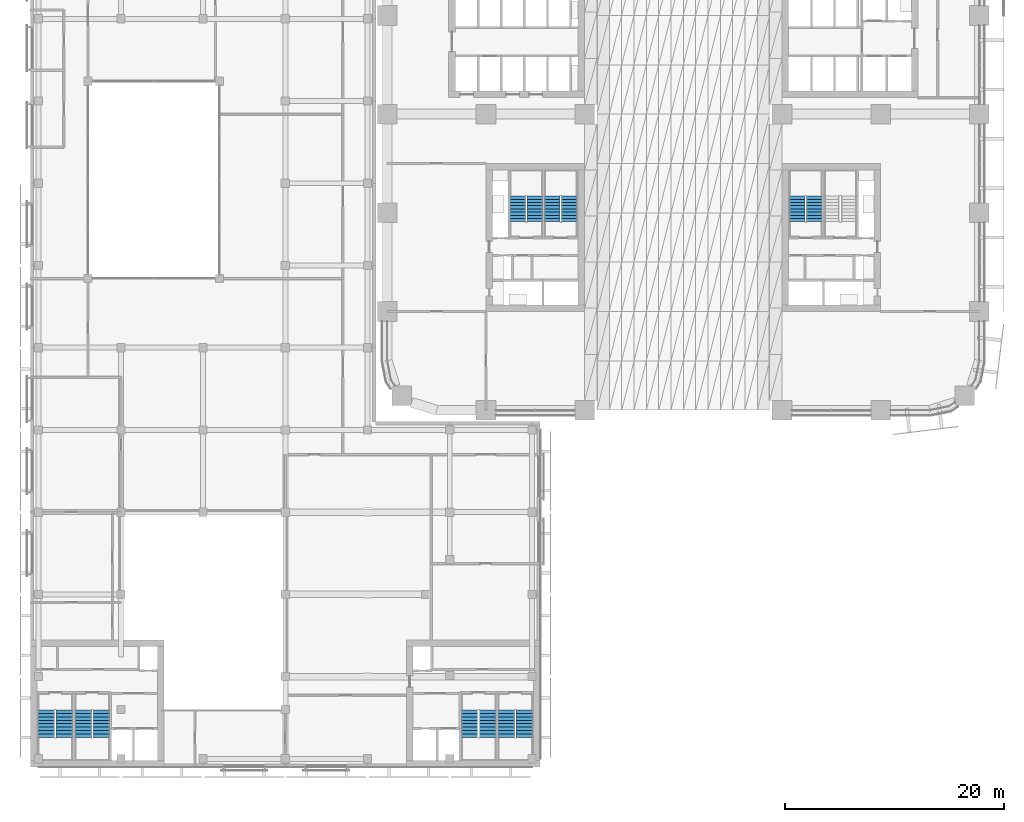
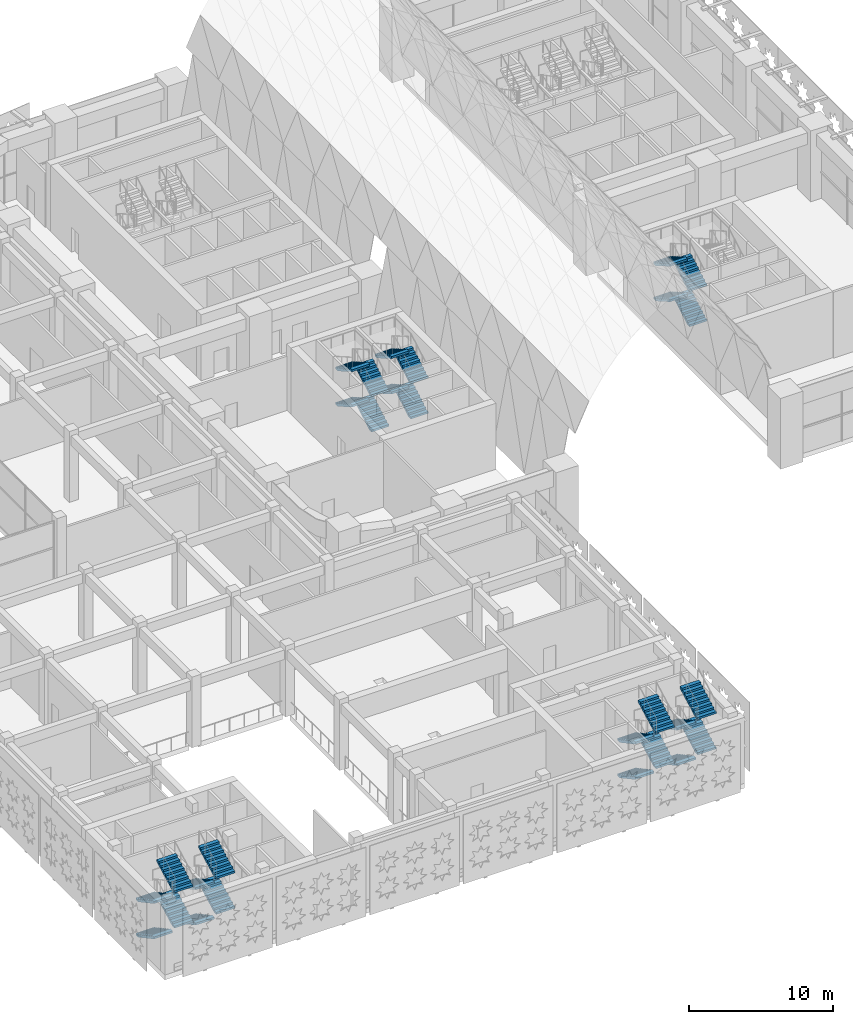
# One storey, part 23 of 46: 28 stair flights, 7 elements without a shape of their own.
"""IFC4 building model written with IfcOpenShell, lengths in metres."""

from ifc_helpers import new_model, si_unit, direction, frame, origin, place, context, subcontext, project, spatial, polyline, outline, extrude, material, type_object, element, aggregate, save


model = new_model("IFC4")

# Units and contexts
model_context = context("Model", 3, precision=1e-05, world=origin(), true_north=direction((0.0, 1.0)))
body_context = subcontext(model_context, "Body", "Model", "MODEL_VIEW")
ifc_project = project(units=[si_unit("LENGTHUNIT", "METRE"), si_unit("AREAUNIT", "SQUARE_METRE"), si_unit("VOLUMEUNIT", "CUBIC_METRE"), si_unit("PLANEANGLEUNIT", "RADIAN"), si_unit("MASSUNIT", "GRAM", prefix="KILO")], contexts=[model_context])

# Site, building, storey
site_placement = place(None, origin())
site = spatial("IfcSite", under=ifc_project, at=site_placement, CompositionType="ELEMENT")
building_placement = place(site_placement, origin())
building = spatial("IfcBuilding", under=site, at=building_placement, Name="Tessera Arch", CompositionType="ELEMENT")
storey_placement = place(building_placement, frame((0.0, 0.0, 8.0)))
storey = spatial("IfcBuildingStorey", under=building, at=storey_placement, Name="L01", CompositionType="ELEMENT", Elevation=8.0)

# Stair, stair flights
ifc_material_1 = material(Name="Concrete C40/50", Category="concrete")
stair_type_1 = type_object("IfcStairType", Name="Dogleg stair 1400", PredefinedType="HALF_TURN_STAIR", material=ifc_material_1)
stair_1_placement = place(storey_placement, origin())
stair_1 = element("IfcStair", 1, at=stair_1_placement, inside=storey, type_object=stair_type_1, Name="L01 S3a", PredefinedType="HALF_TURN_STAIR")
ifc_material_2 = material(Name="Concrete C40/50", Category="concrete")
stair_flight_type_1 = type_object("IfcStairFlightType", Name="Stair flight 1400", PredefinedType="STRAIGHT", material=ifc_material_2)
stair_flight_1_placement = place(storey_placement, frame((38.949951171875, 17.199951171875, 0.0), z_axis=(0.0, 0.0, 1.0), x_axis=(0.0, 1.0, 0.0)))
stair_flight_1 = element("IfcStairFlight", 2, at=stair_flight_1_placement, type_object=stair_flight_type_1, Name="S3a flight 1", NumberOfRisers=9, NumberOfTreads=8, PredefinedType="STRAIGHT", RiserHeight=0.166666667, TreadLength=0.29, context=body_context, shape_type="SweptSolid", body=[
    extrude(outline(polyline([(0.0, 0.0), (0.0, 0.166748046875), (0.2900390625, 0.166748046875), (0.2900390625, 0.333251953125), (0.580078125, 0.333251953125), (0.580078125, 0.5), (0.8701171875, 0.5), (0.8701171875, 0.666748046875), (1.159912109375, 0.666748046875), (1.159912109375, 0.833251953125), (1.449951171875, 0.833251953125), (1.449951171875, 1.0), (1.739990234375, 1.0), (1.739990234375, 1.166748046875), (2.030029296875, 1.166748046875), (2.030029296875, 1.333251953125), (2.320068359375, 1.333251953125), (2.320068359375, 1.5), (2.320068359375, 1.160400390625), (0.30078125, 0.0), (0.0, 0.0)])), frame((0.0, 0.699951171875, 0.0), z_axis=(0.0, -1.0, 0.0), x_axis=(1.0, 0.0, 0.0)), (0.0, 0.0, 1.0), 1.39990234375),
])
stair_flight_2_placement = place(storey_placement, frame((37.39990234375, 19.52001953125, 1.5), z_axis=(0.0, 0.0, 1.0), x_axis=(0.0, -1.0, 0.0)))
stair_flight_2 = element("IfcStairFlight", 3, at=stair_flight_2_placement, type_object=stair_flight_type_1, Name="S3a flight 2", NumberOfRisers=9, NumberOfTreads=8, PredefinedType="STRAIGHT", RiserHeight=0.166666667, TreadLength=0.29, context=body_context, shape_type="SweptSolid", body=[
    extrude(outline(polyline([(0.0, 0.0), (0.0, 0.166748046875), (0.2900390625, 0.166748046875), (0.2900390625, 0.333251953125), (0.580078125, 0.333251953125), (0.580078125, 0.5), (0.8701171875, 0.5), (0.8701171875, 0.666748046875), (1.159912109375, 0.666748046875), (1.159912109375, 0.833251953125), (1.449951171875, 0.833251953125), (1.449951171875, 1.0), (1.739990234375, 1.0), (1.739990234375, 1.166748046875), (2.030029296875, 1.166748046875), (2.030029296875, 1.333251953125), (2.320068359375, 1.333251953125), (2.320068359375, 1.5), (2.320068359375, 1.160400390625), (0.30078125, 0.0), (0.0, 0.0)])), frame((0.0, 0.699951171875, 0.0), z_axis=(0.0, -1.0, 0.0), x_axis=(1.0, 0.0, 0.0)), (0.0, 0.0, 1.0), 1.39990234375),
])
stair_flight_3_placement = place(storey_placement, frame((38.949951171875, 17.199951171875, 3.0), z_axis=(0.0, 0.0, 1.0), x_axis=(0.0, 1.0, 0.0)))
stair_flight_3 = element("IfcStairFlight", 4, at=stair_flight_3_placement, type_object=stair_flight_type_1, Name="S3a flight 3", NumberOfRisers=9, NumberOfTreads=8, PredefinedType="STRAIGHT", RiserHeight=0.166666667, TreadLength=0.29, context=body_context, shape_type="SweptSolid", body=[
    extrude(outline(polyline([(0.0, 0.0), (0.0, 0.166748046875), (0.2900390625, 0.166748046875), (0.2900390625, 0.333251953125), (0.580078125, 0.333251953125), (0.580078125, 0.5), (0.8701171875, 0.5), (0.8701171875, 0.666748046875), (1.159912109375, 0.666748046875), (1.159912109375, 0.833251953125), (1.449951171875, 0.833251953125), (1.449951171875, 1.0), (1.739990234375, 1.0), (1.739990234375, 1.166748046875), (2.030029296875, 1.166748046875), (2.030029296875, 1.333251953125), (2.320068359375, 1.333251953125), (2.320068359375, 1.5), (2.320068359375, 1.160400390625), (0.30078125, 0.0), (0.0, 0.0)])), frame((0.0, 0.699951171875, 0.0), z_axis=(0.0, -1.0, 0.0), x_axis=(1.0, 0.0, 0.0)), (0.0, 0.0, 1.0), 1.39990234375),
])
stair_flight_4_placement = place(storey_placement, frame((37.39990234375, 19.52001953125, 4.5), z_axis=(0.0, 0.0, 1.0), x_axis=(0.0, -1.0, 0.0)))
stair_flight_4 = element("IfcStairFlight", 5, at=stair_flight_4_placement, type_object=stair_flight_type_1, Name="S3a flight 4", NumberOfRisers=9, NumberOfTreads=8, PredefinedType="STRAIGHT", RiserHeight=0.166666667, TreadLength=0.29, context=body_context, shape_type="SweptSolid", body=[
    extrude(outline(polyline([(0.0, 0.0), (0.0, 0.166748046875), (0.2900390625, 0.166748046875), (0.2900390625, 0.333251953125), (0.580078125, 0.333251953125), (0.580078125, 0.5), (0.8701171875, 0.5), (0.8701171875, 0.666748046875), (1.159912109375, 0.666748046875), (1.159912109375, 0.833251953125), (1.449951171875, 0.833251953125), (1.449951171875, 1.0), (1.739990234375, 1.0), (1.739990234375, 1.166748046875), (2.030029296875, 1.166748046875), (2.030029296875, 1.333251953125), (2.320068359375, 1.333251953125), (2.320068359375, 1.5), (2.320068359375, 1.160400390625), (0.30078125, 0.0), (0.0, 0.0)])), frame((0.0, 0.699951171875, 0.0), z_axis=(0.0, -1.0, 0.0), x_axis=(1.0, 0.0, 0.0)), (0.0, 0.0, 1.0), 1.39990234375),
])
aggregate(stair_1, [stair_flight_1, stair_flight_2, stair_flight_3, stair_flight_4])

stair_2_placement = place(storey_placement, origin())
stair_2 = element("IfcStair", 6, at=stair_2_placement, inside=storey, type_object=stair_type_1, Name="L01 S4a", PredefinedType="HALF_TURN_STAIR")
stair_flight_5_placement = place(storey_placement, frame((16.60009765625, 17.199951171875, 0.0), z_axis=(0.0, 0.0, 1.0), x_axis=(0.0, 1.0, 0.0)))
stair_flight_5 = element("IfcStairFlight", 7, at=stair_flight_5_placement, type_object=stair_flight_type_1, Name="S4a flight 1", NumberOfRisers=9, NumberOfTreads=8, PredefinedType="STRAIGHT", RiserHeight=0.166666667, TreadLength=0.29, context=body_context, shape_type="SweptSolid", body=[
    extrude(outline(polyline([(0.0, 0.0), (0.0, 0.166748046875), (0.2900390625, 0.166748046875), (0.2900390625, 0.333251953125), (0.580078125, 0.333251953125), (0.580078125, 0.5), (0.8701171875, 0.5), (0.8701171875, 0.666748046875), (1.159912109375, 0.666748046875), (1.159912109375, 0.833251953125), (1.449951171875, 0.833251953125), (1.449951171875, 1.0), (1.739990234375, 1.0), (1.739990234375, 1.166748046875), (2.030029296875, 1.166748046875), (2.030029296875, 1.333251953125), (2.320068359375, 1.333251953125), (2.320068359375, 1.5), (2.320068359375, 1.160400390625), (0.30078125, 0.0), (0.0, 0.0)])), frame((0.0, 0.699951171875, 0.0), z_axis=(0.0, -1.0, 0.0), x_axis=(1.0, 0.0, 0.0)), (0.0, 0.0, 1.0), 1.39990234375),
])
stair_flight_6_placement = place(storey_placement, frame((15.050048828125, 19.52001953125, 1.5), z_axis=(0.0, 0.0, 1.0), x_axis=(0.0, -1.0, 0.0)))
stair_flight_6 = element("IfcStairFlight", 8, at=stair_flight_6_placement, type_object=stair_flight_type_1, Name="S4a flight 2", NumberOfRisers=9, NumberOfTreads=8, PredefinedType="STRAIGHT", RiserHeight=0.166666667, TreadLength=0.29, context=body_context, shape_type="SweptSolid", body=[
    extrude(outline(polyline([(0.0, 0.0), (0.0, 0.166748046875), (0.2900390625, 0.166748046875), (0.2900390625, 0.333251953125), (0.580078125, 0.333251953125), (0.580078125, 0.5), (0.8701171875, 0.5), (0.8701171875, 0.666748046875), (1.159912109375, 0.666748046875), (1.159912109375, 0.833251953125), (1.449951171875, 0.833251953125), (1.449951171875, 1.0), (1.739990234375, 1.0), (1.739990234375, 1.166748046875), (2.030029296875, 1.166748046875), (2.030029296875, 1.333251953125), (2.320068359375, 1.333251953125), (2.320068359375, 1.5), (2.320068359375, 1.160400390625), (0.30078125, 0.0), (0.0, 0.0)])), frame((0.0, 0.699951171875, 0.0), z_axis=(0.0, -1.0, 0.0), x_axis=(1.0, 0.0, 0.0)), (0.0, 0.0, 1.0), 1.39990234375),
])
stair_flight_7_placement = place(storey_placement, frame((16.60009765625, 17.199951171875, 3.0), z_axis=(0.0, 0.0, 1.0), x_axis=(0.0, 1.0, 0.0)))
stair_flight_7 = element("IfcStairFlight", 9, at=stair_flight_7_placement, type_object=stair_flight_type_1, Name="S4a flight 3", NumberOfRisers=9, NumberOfTreads=8, PredefinedType="STRAIGHT", RiserHeight=0.166666667, TreadLength=0.29, context=body_context, shape_type="SweptSolid", body=[
    extrude(outline(polyline([(0.0, 0.0), (0.0, 0.166748046875), (0.2900390625, 0.166748046875), (0.2900390625, 0.333251953125), (0.580078125, 0.333251953125), (0.580078125, 0.5), (0.8701171875, 0.5), (0.8701171875, 0.666748046875), (1.159912109375, 0.666748046875), (1.159912109375, 0.833251953125), (1.449951171875, 0.833251953125), (1.449951171875, 1.0), (1.739990234375, 1.0), (1.739990234375, 1.166748046875), (2.030029296875, 1.166748046875), (2.030029296875, 1.333251953125), (2.320068359375, 1.333251953125), (2.320068359375, 1.5), (2.320068359375, 1.160400390625), (0.30078125, 0.0), (0.0, 0.0)])), frame((0.0, 0.699951171875, 0.0), z_axis=(0.0, -1.0, 0.0), x_axis=(1.0, 0.0, 0.0)), (0.0, 0.0, 1.0), 1.39990234375),
])
stair_flight_8_placement = place(storey_placement, frame((15.050048828125, 19.52001953125, 4.5), z_axis=(0.0, 0.0, 1.0), x_axis=(0.0, -1.0, 0.0)))
stair_flight_8 = element("IfcStairFlight", 10, at=stair_flight_8_placement, type_object=stair_flight_type_1, Name="S4a flight 4", NumberOfRisers=9, NumberOfTreads=8, PredefinedType="STRAIGHT", RiserHeight=0.166666667, TreadLength=0.29, context=body_context, shape_type="SweptSolid", body=[
    extrude(outline(polyline([(0.0, 0.0), (0.0, 0.166748046875), (0.2900390625, 0.166748046875), (0.2900390625, 0.333251953125), (0.580078125, 0.333251953125), (0.580078125, 0.5), (0.8701171875, 0.5), (0.8701171875, 0.666748046875), (1.159912109375, 0.666748046875), (1.159912109375, 0.833251953125), (1.449951171875, 0.833251953125), (1.449951171875, 1.0), (1.739990234375, 1.0), (1.739990234375, 1.166748046875), (2.030029296875, 1.166748046875), (2.030029296875, 1.333251953125), (2.320068359375, 1.333251953125), (2.320068359375, 1.5), (2.320068359375, 1.160400390625), (0.30078125, 0.0), (0.0, 0.0)])), frame((0.0, 0.699951171875, 0.0), z_axis=(0.0, -1.0, 0.0), x_axis=(1.0, 0.0, 0.0)), (0.0, 0.0, 1.0), 1.39990234375),
])
aggregate(stair_2, [stair_flight_5, stair_flight_6, stair_flight_7, stair_flight_8])

stair_3_placement = place(storey_placement, origin())
stair_3 = element("IfcStair", 11, at=stair_3_placement, inside=storey, type_object=stair_type_1, Name="L01 S4b", PredefinedType="HALF_TURN_STAIR")
stair_flight_9_placement = place(storey_placement, frame((13.449951171875, 17.199951171875, 0.0), z_axis=(0.0, 0.0, 1.0), x_axis=(0.0, 1.0, 0.0)))
stair_flight_9 = element("IfcStairFlight", 12, at=stair_flight_9_placement, type_object=stair_flight_type_1, Name="S4b flight 1", NumberOfRisers=9, NumberOfTreads=8, PredefinedType="STRAIGHT", RiserHeight=0.166666667, TreadLength=0.29, context=body_context, shape_type="SweptSolid", body=[
    extrude(outline(polyline([(0.0, 0.0), (0.0, 0.166748046875), (0.2900390625, 0.166748046875), (0.2900390625, 0.333251953125), (0.580078125, 0.333251953125), (0.580078125, 0.5), (0.8701171875, 0.5), (0.8701171875, 0.666748046875), (1.159912109375, 0.666748046875), (1.159912109375, 0.833251953125), (1.449951171875, 0.833251953125), (1.449951171875, 1.0), (1.739990234375, 1.0), (1.739990234375, 1.166748046875), (2.030029296875, 1.166748046875), (2.030029296875, 1.333251953125), (2.320068359375, 1.333251953125), (2.320068359375, 1.5), (2.320068359375, 1.160400390625), (0.30078125, 0.0), (0.0, 0.0)])), frame((0.0, 0.699951171875, 0.0), z_axis=(0.0, -1.0, 0.0), x_axis=(1.0, 0.0, 0.0)), (0.0, 0.0, 1.0), 1.39990234375),
])
stair_flight_10_placement = place(storey_placement, frame((11.89990234375, 19.52001953125, 1.5), z_axis=(0.0, 0.0, 1.0), x_axis=(0.0, -1.0, 0.0)))
stair_flight_10 = element("IfcStairFlight", 13, at=stair_flight_10_placement, type_object=stair_flight_type_1, Name="S4b flight 2", NumberOfRisers=9, NumberOfTreads=8, PredefinedType="STRAIGHT", RiserHeight=0.166666667, TreadLength=0.29, context=body_context, shape_type="SweptSolid", body=[
    extrude(outline(polyline([(0.0, 0.0), (0.0, 0.166748046875), (0.2900390625, 0.166748046875), (0.2900390625, 0.333251953125), (0.580078125, 0.333251953125), (0.580078125, 0.5), (0.8701171875, 0.5), (0.8701171875, 0.666748046875), (1.159912109375, 0.666748046875), (1.159912109375, 0.833251953125), (1.449951171875, 0.833251953125), (1.449951171875, 1.0), (1.739990234375, 1.0), (1.739990234375, 1.166748046875), (2.030029296875, 1.166748046875), (2.030029296875, 1.333251953125), (2.320068359375, 1.333251953125), (2.320068359375, 1.5), (2.320068359375, 1.160400390625), (0.30078125, 0.0), (0.0, 0.0)])), frame((0.0, 0.699951171875, 0.0), z_axis=(0.0, -1.0, 0.0), x_axis=(1.0, 0.0, 0.0)), (0.0, 0.0, 1.0), 1.39990234375),
])
stair_flight_11_placement = place(storey_placement, frame((13.449951171875, 17.199951171875, 3.0), z_axis=(0.0, 0.0, 1.0), x_axis=(0.0, 1.0, 0.0)))
stair_flight_11 = element("IfcStairFlight", 14, at=stair_flight_11_placement, type_object=stair_flight_type_1, Name="S4b flight 3", NumberOfRisers=9, NumberOfTreads=8, PredefinedType="STRAIGHT", RiserHeight=0.166666667, TreadLength=0.29, context=body_context, shape_type="SweptSolid", body=[
    extrude(outline(polyline([(0.0, 0.0), (0.0, 0.166748046875), (0.2900390625, 0.166748046875), (0.2900390625, 0.333251953125), (0.580078125, 0.333251953125), (0.580078125, 0.5), (0.8701171875, 0.5), (0.8701171875, 0.666748046875), (1.159912109375, 0.666748046875), (1.159912109375, 0.833251953125), (1.449951171875, 0.833251953125), (1.449951171875, 1.0), (1.739990234375, 1.0), (1.739990234375, 1.166748046875), (2.030029296875, 1.166748046875), (2.030029296875, 1.333251953125), (2.320068359375, 1.333251953125), (2.320068359375, 1.5), (2.320068359375, 1.160400390625), (0.30078125, 0.0), (0.0, 0.0)])), frame((0.0, 0.699951171875, 0.0), z_axis=(0.0, -1.0, 0.0), x_axis=(1.0, 0.0, 0.0)), (0.0, 0.0, 1.0), 1.39990234375),
])
stair_flight_12_placement = place(storey_placement, frame((11.89990234375, 19.52001953125, 4.5), z_axis=(0.0, 0.0, 1.0), x_axis=(0.0, -1.0, 0.0)))
stair_flight_12 = element("IfcStairFlight", 15, at=stair_flight_12_placement, type_object=stair_flight_type_1, Name="S4b flight 4", NumberOfRisers=9, NumberOfTreads=8, PredefinedType="STRAIGHT", RiserHeight=0.166666667, TreadLength=0.29, context=body_context, shape_type="SweptSolid", body=[
    extrude(outline(polyline([(0.0, 0.0), (0.0, 0.166748046875), (0.2900390625, 0.166748046875), (0.2900390625, 0.333251953125), (0.580078125, 0.333251953125), (0.580078125, 0.5), (0.8701171875, 0.5), (0.8701171875, 0.666748046875), (1.159912109375, 0.666748046875), (1.159912109375, 0.833251953125), (1.449951171875, 0.833251953125), (1.449951171875, 1.0), (1.739990234375, 1.0), (1.739990234375, 1.166748046875), (2.030029296875, 1.166748046875), (2.030029296875, 1.333251953125), (2.320068359375, 1.333251953125), (2.320068359375, 1.5), (2.320068359375, 1.160400390625), (0.30078125, 0.0), (0.0, 0.0)])), frame((0.0, 0.699951171875, 0.0), z_axis=(0.0, -1.0, 0.0), x_axis=(1.0, 0.0, 0.0)), (0.0, 0.0, 1.0), 1.39990234375),
])
aggregate(stair_3, [stair_flight_9, stair_flight_10, stair_flight_11, stair_flight_12])

ifc_material_3 = material(Name="Concrete C40/50", Category="concrete")
stair_type_2 = type_object("IfcStairType", Name="Dogleg stair 1500", PredefinedType="HALF_TURN_STAIR", material=ifc_material_3)
stair_4_placement = place(storey_placement, origin())
stair_4 = element("IfcStair", 16, at=stair_4_placement, inside=storey, type_object=stair_type_2, Name="L01 M2a", PredefinedType="HALF_TURN_STAIR")
ifc_material_4 = material(Name="Concrete C40/50", Category="concrete")
stair_flight_type_2 = type_object("IfcStairFlightType", Name="Stair flight 1500", PredefinedType="STRAIGHT", material=ifc_material_4)
stair_flight_13_placement = place(storey_placement, frame((-31.10009765625, -27.35009765625, 0.0), z_axis=(0.0, 0.0, 1.0), x_axis=(0.0, -1.0, 0.0)))
stair_flight_13 = element("IfcStairFlight", 17, at=stair_flight_13_placement, type_object=stair_flight_type_2, Name="M2a flight 1", NumberOfRisers=9, NumberOfTreads=8, PredefinedType="STRAIGHT", RiserHeight=0.166666667, TreadLength=0.31, context=body_context, shape_type="SweptSolid", body=[
    extrude(outline(polyline([(0.0, 0.0), (0.0, 0.166748046875), (0.31005859375, 0.166748046875), (0.31005859375, 0.333251953125), (0.6201171875, 0.333251953125), (0.6201171875, 0.5), (0.929931640625, 0.5), (0.929931640625, 0.666748046875), (1.239990234375, 0.666748046875), (1.239990234375, 0.833251953125), (1.550048828125, 0.833251953125), (1.550048828125, 1.0), (1.860107421875, 1.0), (1.860107421875, 1.166748046875), (2.169921875, 1.166748046875), (2.169921875, 1.333251953125), (2.47998046875, 1.333251953125), (2.47998046875, 1.5), (2.47998046875, 1.1630859375), (0.316650390625, 0.0), (0.0, 0.0)])), frame((0.0, 0.75, 0.0), z_axis=(0.0, -1.0, 0.0), x_axis=(1.0, 0.0, 0.0)), (0.0, 0.0, 1.0), 1.5),
])
stair_flight_14_placement = place(storey_placement, frame((-29.449951171875, -29.830078125, 1.5), z_axis=(0.0, 0.0, 1.0), x_axis=(0.0, 1.0, 0.0)))
stair_flight_14 = element("IfcStairFlight", 18, at=stair_flight_14_placement, type_object=stair_flight_type_2, Name="M2a flight 2", NumberOfRisers=9, NumberOfTreads=8, PredefinedType="STRAIGHT", RiserHeight=0.166666667, TreadLength=0.31, context=body_context, shape_type="SweptSolid", body=[
    extrude(outline(polyline([(0.0, 0.0), (0.0, 0.166748046875), (0.31005859375, 0.166748046875), (0.31005859375, 0.333251953125), (0.6201171875, 0.333251953125), (0.6201171875, 0.5), (0.929931640625, 0.5), (0.929931640625, 0.666748046875), (1.239990234375, 0.666748046875), (1.239990234375, 0.833251953125), (1.550048828125, 0.833251953125), (1.550048828125, 1.0), (1.860107421875, 1.0), (1.860107421875, 1.166748046875), (2.169921875, 1.166748046875), (2.169921875, 1.333251953125), (2.47998046875, 1.333251953125), (2.47998046875, 1.5), (2.47998046875, 1.1630859375), (0.316650390625, 0.0), (0.0, 0.0)])), frame((0.0, 0.75, 0.0), z_axis=(0.0, -1.0, 0.0), x_axis=(1.0, 0.0, 0.0)), (0.0, 0.0, 1.0), 1.5),
])
stair_flight_15_placement = place(storey_placement, frame((-31.10009765625, -27.35009765625, 3.0), z_axis=(0.0, 0.0, 1.0), x_axis=(0.0, -1.0, 0.0)))
stair_flight_15 = element("IfcStairFlight", 19, at=stair_flight_15_placement, type_object=stair_flight_type_2, Name="M2a flight 3", NumberOfRisers=9, NumberOfTreads=8, PredefinedType="STRAIGHT", RiserHeight=0.166666667, TreadLength=0.31, context=body_context, shape_type="SweptSolid", body=[
    extrude(outline(polyline([(0.0, 0.0), (0.0, 0.166748046875), (0.31005859375, 0.166748046875), (0.31005859375, 0.333251953125), (0.6201171875, 0.333251953125), (0.6201171875, 0.5), (0.929931640625, 0.5), (0.929931640625, 0.666748046875), (1.239990234375, 0.666748046875), (1.239990234375, 0.833251953125), (1.550048828125, 0.833251953125), (1.550048828125, 1.0), (1.860107421875, 1.0), (1.860107421875, 1.166748046875), (2.169921875, 1.166748046875), (2.169921875, 1.333251953125), (2.47998046875, 1.333251953125), (2.47998046875, 1.5), (2.47998046875, 1.1630859375), (0.316650390625, 0.0), (0.0, 0.0)])), frame((0.0, 0.75, 0.0), z_axis=(0.0, -1.0, 0.0), x_axis=(1.0, 0.0, 0.0)), (0.0, 0.0, 1.0), 1.5),
])
stair_flight_16_placement = place(storey_placement, frame((-29.449951171875, -29.830078125, 4.5), z_axis=(0.0, 0.0, 1.0), x_axis=(0.0, 1.0, 0.0)))
stair_flight_16 = element("IfcStairFlight", 20, at=stair_flight_16_placement, type_object=stair_flight_type_2, Name="M2a flight 4", NumberOfRisers=9, NumberOfTreads=8, PredefinedType="STRAIGHT", RiserHeight=0.166666667, TreadLength=0.31, context=body_context, shape_type="SweptSolid", body=[
    extrude(outline(polyline([(0.0, 0.0), (0.0, 0.166748046875), (0.31005859375, 0.166748046875), (0.31005859375, 0.333251953125), (0.6201171875, 0.333251953125), (0.6201171875, 0.5), (0.929931640625, 0.5), (0.929931640625, 0.666748046875), (1.239990234375, 0.666748046875), (1.239990234375, 0.833251953125), (1.550048828125, 0.833251953125), (1.550048828125, 1.0), (1.860107421875, 1.0), (1.860107421875, 1.166748046875), (2.169921875, 1.166748046875), (2.169921875, 1.333251953125), (2.47998046875, 1.333251953125), (2.47998046875, 1.5), (2.47998046875, 1.1630859375), (0.316650390625, 0.0), (0.0, 0.0)])), frame((0.0, 0.75, 0.0), z_axis=(0.0, -1.0, 0.0), x_axis=(1.0, 0.0, 0.0)), (0.0, 0.0, 1.0), 1.5),
])
aggregate(stair_4, [stair_flight_13, stair_flight_14, stair_flight_15, stair_flight_16])

stair_5_placement = place(storey_placement, origin())
stair_5 = element("IfcStair", 21, at=stair_5_placement, inside=storey, type_object=stair_type_2, Name="L01 M2b", PredefinedType="HALF_TURN_STAIR")
stair_flight_17_placement = place(storey_placement, frame((-27.75, -27.35009765625, 0.0), z_axis=(0.0, 0.0, 1.0), x_axis=(0.0, -1.0, 0.0)))
stair_flight_17 = element("IfcStairFlight", 22, at=stair_flight_17_placement, type_object=stair_flight_type_2, Name="M2b flight 1", NumberOfRisers=9, NumberOfTreads=8, PredefinedType="STRAIGHT", RiserHeight=0.166666667, TreadLength=0.31, context=body_context, shape_type="SweptSolid", body=[
    extrude(outline(polyline([(0.0, 0.0), (0.0, 0.166748046875), (0.31005859375, 0.166748046875), (0.31005859375, 0.333251953125), (0.6201171875, 0.333251953125), (0.6201171875, 0.5), (0.929931640625, 0.5), (0.929931640625, 0.666748046875), (1.239990234375, 0.666748046875), (1.239990234375, 0.833251953125), (1.550048828125, 0.833251953125), (1.550048828125, 1.0), (1.860107421875, 1.0), (1.860107421875, 1.166748046875), (2.169921875, 1.166748046875), (2.169921875, 1.333251953125), (2.47998046875, 1.333251953125), (2.47998046875, 1.5), (2.47998046875, 1.1630859375), (0.316650390625, 0.0), (0.0, 0.0)])), frame((0.0, 0.75, 0.0), z_axis=(0.0, -1.0, 0.0), x_axis=(1.0, 0.0, 0.0)), (0.0, 0.0, 1.0), 1.5),
])
stair_flight_18_placement = place(storey_placement, frame((-26.10009765625, -29.830078125, 1.5), z_axis=(0.0, 0.0, 1.0), x_axis=(0.0, 1.0, 0.0)))
stair_flight_18 = element("IfcStairFlight", 23, at=stair_flight_18_placement, type_object=stair_flight_type_2, Name="M2b flight 2", NumberOfRisers=9, NumberOfTreads=8, PredefinedType="STRAIGHT", RiserHeight=0.166666667, TreadLength=0.31, context=body_context, shape_type="SweptSolid", body=[
    extrude(outline(polyline([(0.0, 0.0), (0.0, 0.166748046875), (0.31005859375, 0.166748046875), (0.31005859375, 0.333251953125), (0.6201171875, 0.333251953125), (0.6201171875, 0.5), (0.929931640625, 0.5), (0.929931640625, 0.666748046875), (1.239990234375, 0.666748046875), (1.239990234375, 0.833251953125), (1.550048828125, 0.833251953125), (1.550048828125, 1.0), (1.860107421875, 1.0), (1.860107421875, 1.166748046875), (2.169921875, 1.166748046875), (2.169921875, 1.333251953125), (2.47998046875, 1.333251953125), (2.47998046875, 1.5), (2.47998046875, 1.1630859375), (0.316650390625, 0.0), (0.0, 0.0)])), frame((0.0, 0.75, 0.0), z_axis=(0.0, -1.0, 0.0), x_axis=(1.0, 0.0, 0.0)), (0.0, 0.0, 1.0), 1.5),
])
stair_flight_19_placement = place(storey_placement, frame((-27.75, -27.35009765625, 3.0), z_axis=(0.0, 0.0, 1.0), x_axis=(0.0, -1.0, 0.0)))
stair_flight_19 = element("IfcStairFlight", 24, at=stair_flight_19_placement, type_object=stair_flight_type_2, Name="M2b flight 3", NumberOfRisers=9, NumberOfTreads=8, PredefinedType="STRAIGHT", RiserHeight=0.166666667, TreadLength=0.31, context=body_context, shape_type="SweptSolid", body=[
    extrude(outline(polyline([(0.0, 0.0), (0.0, 0.166748046875), (0.31005859375, 0.166748046875), (0.31005859375, 0.333251953125), (0.6201171875, 0.333251953125), (0.6201171875, 0.5), (0.929931640625, 0.5), (0.929931640625, 0.666748046875), (1.239990234375, 0.666748046875), (1.239990234375, 0.833251953125), (1.550048828125, 0.833251953125), (1.550048828125, 1.0), (1.860107421875, 1.0), (1.860107421875, 1.166748046875), (2.169921875, 1.166748046875), (2.169921875, 1.333251953125), (2.47998046875, 1.333251953125), (2.47998046875, 1.5), (2.47998046875, 1.1630859375), (0.316650390625, 0.0), (0.0, 0.0)])), frame((0.0, 0.75, 0.0), z_axis=(0.0, -1.0, 0.0), x_axis=(1.0, 0.0, 0.0)), (0.0, 0.0, 1.0), 1.5),
])
stair_flight_20_placement = place(storey_placement, frame((-26.10009765625, -29.830078125, 4.5), z_axis=(0.0, 0.0, 1.0), x_axis=(0.0, 1.0, 0.0)))
stair_flight_20 = element("IfcStairFlight", 25, at=stair_flight_20_placement, type_object=stair_flight_type_2, Name="M2b flight 4", NumberOfRisers=9, NumberOfTreads=8, PredefinedType="STRAIGHT", RiserHeight=0.166666667, TreadLength=0.31, context=body_context, shape_type="SweptSolid", body=[
    extrude(outline(polyline([(0.0, 0.0), (0.0, 0.166748046875), (0.31005859375, 0.166748046875), (0.31005859375, 0.333251953125), (0.6201171875, 0.333251953125), (0.6201171875, 0.5), (0.929931640625, 0.5), (0.929931640625, 0.666748046875), (1.239990234375, 0.666748046875), (1.239990234375, 0.833251953125), (1.550048828125, 0.833251953125), (1.550048828125, 1.0), (1.860107421875, 1.0), (1.860107421875, 1.166748046875), (2.169921875, 1.166748046875), (2.169921875, 1.333251953125), (2.47998046875, 1.333251953125), (2.47998046875, 1.5), (2.47998046875, 1.1630859375), (0.316650390625, 0.0), (0.0, 0.0)])), frame((0.0, 0.75, 0.0), z_axis=(0.0, -1.0, 0.0), x_axis=(1.0, 0.0, 0.0)), (0.0, 0.0, 1.0), 1.5),
])
aggregate(stair_5, [stair_flight_17, stair_flight_18, stair_flight_19, stair_flight_20])

stair_6_placement = place(storey_placement, origin())
stair_6 = element("IfcStair", 26, at=stair_6_placement, inside=storey, type_object=stair_type_2, Name="L01 M3a", PredefinedType="HALF_TURN_STAIR")
stair_flight_21_placement = place(storey_placement, frame((10.85009765625, -27.35009765625, 0.0), z_axis=(0.0, 0.0, 1.0), x_axis=(0.0, -1.0, 0.0)))
stair_flight_21 = element("IfcStairFlight", 27, at=stair_flight_21_placement, type_object=stair_flight_type_2, Name="M3a flight 1", NumberOfRisers=9, NumberOfTreads=8, PredefinedType="STRAIGHT", RiserHeight=0.166666667, TreadLength=0.31, context=body_context, shape_type="SweptSolid", body=[
    extrude(outline(polyline([(0.0, 0.0), (0.0, 0.166748046875), (0.31005859375, 0.166748046875), (0.31005859375, 0.333251953125), (0.6201171875, 0.333251953125), (0.6201171875, 0.5), (0.929931640625, 0.5), (0.929931640625, 0.666748046875), (1.239990234375, 0.666748046875), (1.239990234375, 0.833251953125), (1.550048828125, 0.833251953125), (1.550048828125, 1.0), (1.860107421875, 1.0), (1.860107421875, 1.166748046875), (2.169921875, 1.166748046875), (2.169921875, 1.333251953125), (2.47998046875, 1.333251953125), (2.47998046875, 1.5), (2.47998046875, 1.1630859375), (0.316650390625, 0.0), (0.0, 0.0)])), frame((0.0, 0.75, 0.0), z_axis=(0.0, -1.0, 0.0), x_axis=(1.0, 0.0, 0.0)), (0.0, 0.0, 1.0), 1.5),
])
stair_flight_22_placement = place(storey_placement, frame((12.5, -29.830078125, 1.5), z_axis=(0.0, 0.0, 1.0), x_axis=(0.0, 1.0, 0.0)))
stair_flight_22 = element("IfcStairFlight", 28, at=stair_flight_22_placement, type_object=stair_flight_type_2, Name="M3a flight 2", NumberOfRisers=9, NumberOfTreads=8, PredefinedType="STRAIGHT", RiserHeight=0.166666667, TreadLength=0.31, context=body_context, shape_type="SweptSolid", body=[
    extrude(outline(polyline([(0.0, 0.0), (0.0, 0.166748046875), (0.31005859375, 0.166748046875), (0.31005859375, 0.333251953125), (0.6201171875, 0.333251953125), (0.6201171875, 0.5), (0.929931640625, 0.5), (0.929931640625, 0.666748046875), (1.239990234375, 0.666748046875), (1.239990234375, 0.833251953125), (1.550048828125, 0.833251953125), (1.550048828125, 1.0), (1.860107421875, 1.0), (1.860107421875, 1.166748046875), (2.169921875, 1.166748046875), (2.169921875, 1.333251953125), (2.47998046875, 1.333251953125), (2.47998046875, 1.5), (2.47998046875, 1.1630859375), (0.316650390625, 0.0), (0.0, 0.0)])), frame((0.0, 0.75, 0.0), z_axis=(0.0, -1.0, 0.0), x_axis=(1.0, 0.0, 0.0)), (0.0, 0.0, 1.0), 1.5),
])
stair_flight_23_placement = place(storey_placement, frame((10.85009765625, -27.35009765625, 3.0), z_axis=(0.0, 0.0, 1.0), x_axis=(0.0, -1.0, 0.0)))
stair_flight_23 = element("IfcStairFlight", 29, at=stair_flight_23_placement, type_object=stair_flight_type_2, Name="M3a flight 3", NumberOfRisers=9, NumberOfTreads=8, PredefinedType="STRAIGHT", RiserHeight=0.166666667, TreadLength=0.31, context=body_context, shape_type="SweptSolid", body=[
    extrude(outline(polyline([(0.0, 0.0), (0.0, 0.166748046875), (0.31005859375, 0.166748046875), (0.31005859375, 0.333251953125), (0.6201171875, 0.333251953125), (0.6201171875, 0.5), (0.929931640625, 0.5), (0.929931640625, 0.666748046875), (1.239990234375, 0.666748046875), (1.239990234375, 0.833251953125), (1.550048828125, 0.833251953125), (1.550048828125, 1.0), (1.860107421875, 1.0), (1.860107421875, 1.166748046875), (2.169921875, 1.166748046875), (2.169921875, 1.333251953125), (2.47998046875, 1.333251953125), (2.47998046875, 1.5), (2.47998046875, 1.1630859375), (0.316650390625, 0.0), (0.0, 0.0)])), frame((0.0, 0.75, 0.0), z_axis=(0.0, -1.0, 0.0), x_axis=(1.0, 0.0, 0.0)), (0.0, 0.0, 1.0), 1.5),
])
stair_flight_24_placement = place(storey_placement, frame((12.5, -29.830078125, 4.5), z_axis=(0.0, 0.0, 1.0), x_axis=(0.0, 1.0, 0.0)))
stair_flight_24 = element("IfcStairFlight", 30, at=stair_flight_24_placement, type_object=stair_flight_type_2, Name="M3a flight 4", NumberOfRisers=9, NumberOfTreads=8, PredefinedType="STRAIGHT", RiserHeight=0.166666667, TreadLength=0.31, context=body_context, shape_type="SweptSolid", body=[
    extrude(outline(polyline([(0.0, 0.0), (0.0, 0.166748046875), (0.31005859375, 0.166748046875), (0.31005859375, 0.333251953125), (0.6201171875, 0.333251953125), (0.6201171875, 0.5), (0.929931640625, 0.5), (0.929931640625, 0.666748046875), (1.239990234375, 0.666748046875), (1.239990234375, 0.833251953125), (1.550048828125, 0.833251953125), (1.550048828125, 1.0), (1.860107421875, 1.0), (1.860107421875, 1.166748046875), (2.169921875, 1.166748046875), (2.169921875, 1.333251953125), (2.47998046875, 1.333251953125), (2.47998046875, 1.5), (2.47998046875, 1.1630859375), (0.316650390625, 0.0), (0.0, 0.0)])), frame((0.0, 0.75, 0.0), z_axis=(0.0, -1.0, 0.0), x_axis=(1.0, 0.0, 0.0)), (0.0, 0.0, 1.0), 1.5),
])
aggregate(stair_6, [stair_flight_21, stair_flight_22, stair_flight_23, stair_flight_24])

stair_7_placement = place(storey_placement, origin())
stair_7 = element("IfcStair", 31, at=stair_7_placement, inside=storey, type_object=stair_type_2, Name="L01 M3b", PredefinedType="HALF_TURN_STAIR")
stair_flight_25_placement = place(storey_placement, frame((7.5, -27.35009765625, 0.0), z_axis=(0.0, 0.0, 1.0), x_axis=(0.0, -1.0, 0.0)))
stair_flight_25 = element("IfcStairFlight", 32, at=stair_flight_25_placement, type_object=stair_flight_type_2, Name="M3b flight 1", NumberOfRisers=9, NumberOfTreads=8, PredefinedType="STRAIGHT", RiserHeight=0.166666667, TreadLength=0.31, context=body_context, shape_type="SweptSolid", body=[
    extrude(outline(polyline([(0.0, 0.0), (0.0, 0.166748046875), (0.31005859375, 0.166748046875), (0.31005859375, 0.333251953125), (0.6201171875, 0.333251953125), (0.6201171875, 0.5), (0.929931640625, 0.5), (0.929931640625, 0.666748046875), (1.239990234375, 0.666748046875), (1.239990234375, 0.833251953125), (1.550048828125, 0.833251953125), (1.550048828125, 1.0), (1.860107421875, 1.0), (1.860107421875, 1.166748046875), (2.169921875, 1.166748046875), (2.169921875, 1.333251953125), (2.47998046875, 1.333251953125), (2.47998046875, 1.5), (2.47998046875, 1.1630859375), (0.316650390625, 0.0), (0.0, 0.0)])), frame((0.0, 0.75, 0.0), z_axis=(0.0, -1.0, 0.0), x_axis=(1.0, 0.0, 0.0)), (0.0, 0.0, 1.0), 1.5),
])
stair_flight_26_placement = place(storey_placement, frame((9.14990234375, -29.830078125, 1.5), z_axis=(0.0, 0.0, 1.0), x_axis=(0.0, 1.0, 0.0)))
stair_flight_26 = element("IfcStairFlight", 33, at=stair_flight_26_placement, type_object=stair_flight_type_2, Name="M3b flight 2", NumberOfRisers=9, NumberOfTreads=8, PredefinedType="STRAIGHT", RiserHeight=0.166666667, TreadLength=0.31, context=body_context, shape_type="SweptSolid", body=[
    extrude(outline(polyline([(0.0, 0.0), (0.0, 0.166748046875), (0.31005859375, 0.166748046875), (0.31005859375, 0.333251953125), (0.6201171875, 0.333251953125), (0.6201171875, 0.5), (0.929931640625, 0.5), (0.929931640625, 0.666748046875), (1.239990234375, 0.666748046875), (1.239990234375, 0.833251953125), (1.550048828125, 0.833251953125), (1.550048828125, 1.0), (1.860107421875, 1.0), (1.860107421875, 1.166748046875), (2.169921875, 1.166748046875), (2.169921875, 1.333251953125), (2.47998046875, 1.333251953125), (2.47998046875, 1.5), (2.47998046875, 1.1630859375), (0.316650390625, 0.0), (0.0, 0.0)])), frame((0.0, 0.75, 0.0), z_axis=(0.0, -1.0, 0.0), x_axis=(1.0, 0.0, 0.0)), (0.0, 0.0, 1.0), 1.5),
])
stair_flight_27_placement = place(storey_placement, frame((7.5, -27.35009765625, 3.0), z_axis=(0.0, 0.0, 1.0), x_axis=(0.0, -1.0, 0.0)))
stair_flight_27 = element("IfcStairFlight", 34, at=stair_flight_27_placement, type_object=stair_flight_type_2, Name="M3b flight 3", NumberOfRisers=9, NumberOfTreads=8, PredefinedType="STRAIGHT", RiserHeight=0.166666667, TreadLength=0.31, context=body_context, shape_type="SweptSolid", body=[
    extrude(outline(polyline([(0.0, 0.0), (0.0, 0.166748046875), (0.31005859375, 0.166748046875), (0.31005859375, 0.333251953125), (0.6201171875, 0.333251953125), (0.6201171875, 0.5), (0.929931640625, 0.5), (0.929931640625, 0.666748046875), (1.239990234375, 0.666748046875), (1.239990234375, 0.833251953125), (1.550048828125, 0.833251953125), (1.550048828125, 1.0), (1.860107421875, 1.0), (1.860107421875, 1.166748046875), (2.169921875, 1.166748046875), (2.169921875, 1.333251953125), (2.47998046875, 1.333251953125), (2.47998046875, 1.5), (2.47998046875, 1.1630859375), (0.316650390625, 0.0), (0.0, 0.0)])), frame((0.0, 0.75, 0.0), z_axis=(0.0, -1.0, 0.0), x_axis=(1.0, 0.0, 0.0)), (0.0, 0.0, 1.0), 1.5),
])
stair_flight_28_placement = place(storey_placement, frame((9.14990234375, -29.830078125, 4.5), z_axis=(0.0, 0.0, 1.0), x_axis=(0.0, 1.0, 0.0)))
stair_flight_28 = element("IfcStairFlight", 35, at=stair_flight_28_placement, type_object=stair_flight_type_2, Name="M3b flight 4", NumberOfRisers=9, NumberOfTreads=8, PredefinedType="STRAIGHT", RiserHeight=0.166666667, TreadLength=0.31, context=body_context, shape_type="SweptSolid", body=[
    extrude(outline(polyline([(0.0, 0.0), (0.0, 0.166748046875), (0.31005859375, 0.166748046875), (0.31005859375, 0.333251953125), (0.6201171875, 0.333251953125), (0.6201171875, 0.5), (0.929931640625, 0.5), (0.929931640625, 0.666748046875), (1.239990234375, 0.666748046875), (1.239990234375, 0.833251953125), (1.550048828125, 0.833251953125), (1.550048828125, 1.0), (1.860107421875, 1.0), (1.860107421875, 1.166748046875), (2.169921875, 1.166748046875), (2.169921875, 1.333251953125), (2.47998046875, 1.333251953125), (2.47998046875, 1.5), (2.47998046875, 1.1630859375), (0.316650390625, 0.0), (0.0, 0.0)])), frame((0.0, 0.75, 0.0), z_axis=(0.0, -1.0, 0.0), x_axis=(1.0, 0.0, 0.0)), (0.0, 0.0, 1.0), 1.5),
])
aggregate(stair_7, [stair_flight_25, stair_flight_26, stair_flight_27, stair_flight_28])

save(model, "model.ifc")
